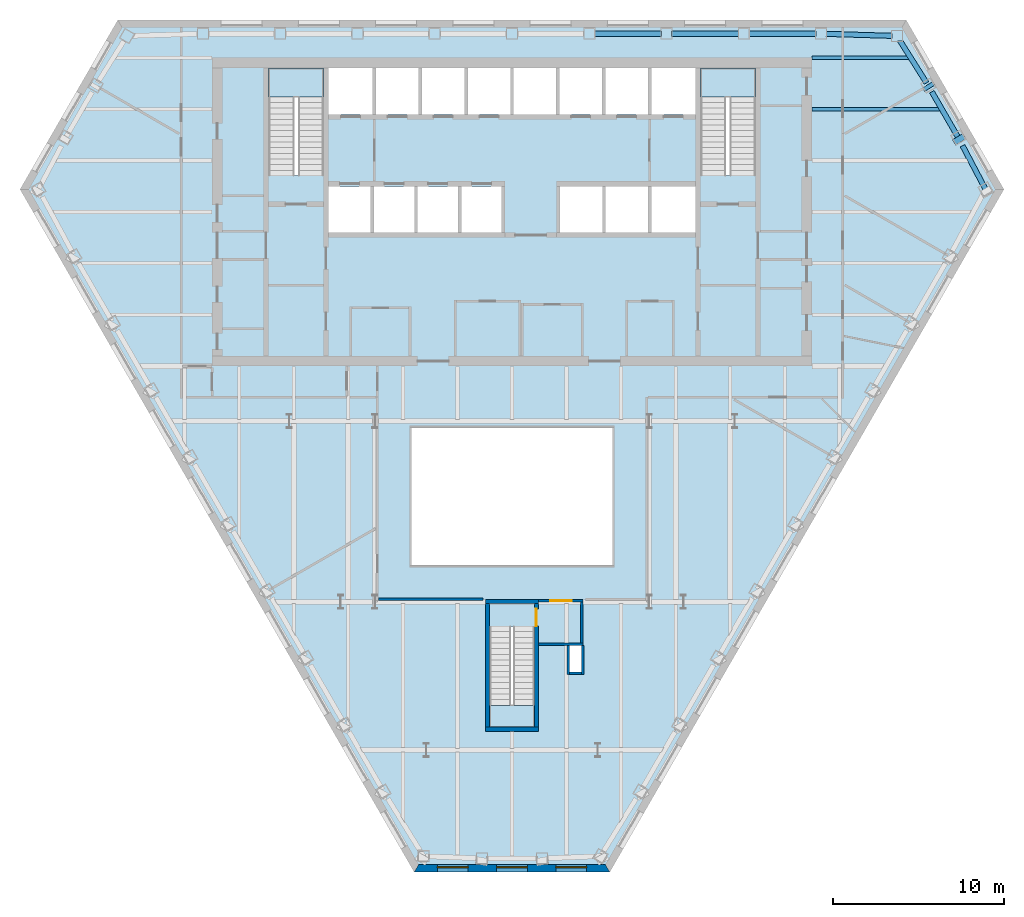
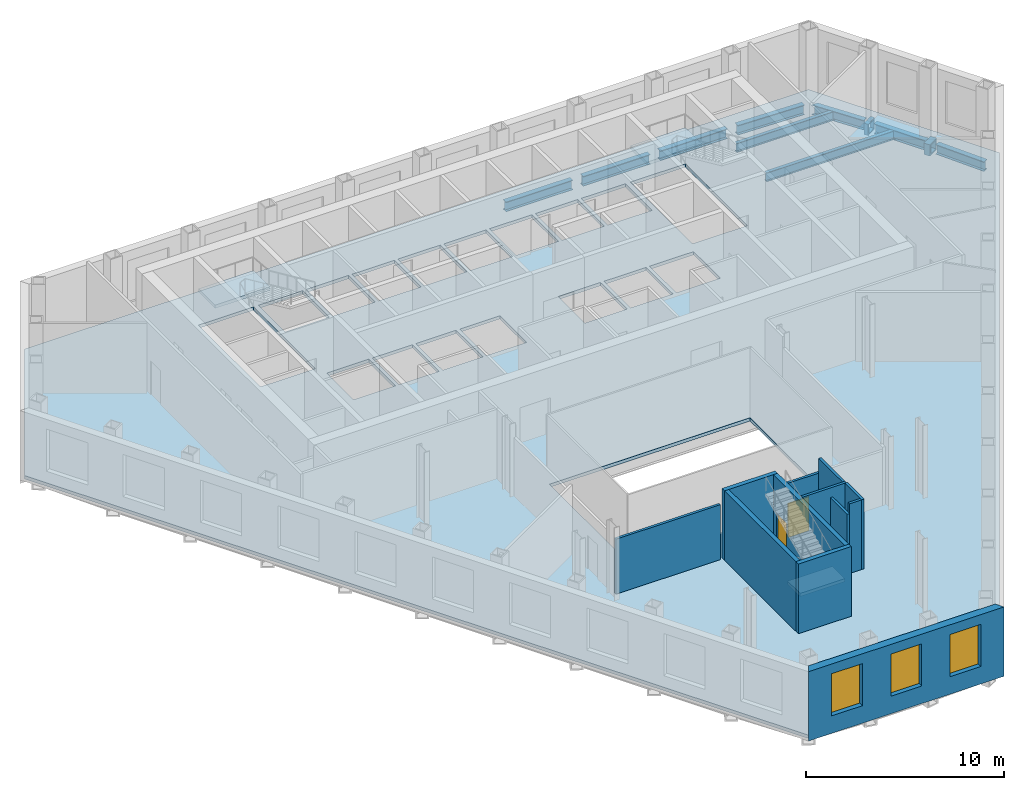
# One storey, part 4 of 11: 12 walls, 11 beams, 4 slabs, 3 windows, 2 doors, 5 openings, 3 elements without a shape of their own.
"""IFC4 building model written with IfcOpenShell, lengths in metres."""

from ifc_helpers import new_model, si_unit, direction, frame, frame_2d, origin, origin_2d, place, context, subcontext, project, spatial, polyline, rectangle, hollow_rectangle, i_section, outline, extrude, clip, halfspace, material, layer, layer_set, material_profile, profile_set, type_object, element, fill, aggregate, save


model = new_model("IFC4")

# Units and contexts
model_context = context("Model", 3, precision=1e-05, world=origin(), true_north=direction((0.0, 1.0)))
body_context = subcontext(model_context, "Body", "Model", "MODEL_VIEW")
ifc_project = project(units=[si_unit("LENGTHUNIT", "METRE"), si_unit("AREAUNIT", "SQUARE_METRE"), si_unit("VOLUMEUNIT", "CUBIC_METRE"), si_unit("PLANEANGLEUNIT", "RADIAN"), si_unit("MASSUNIT", "GRAM", prefix="KILO")], contexts=[model_context])

# Site, building, storey
site_placement = place(None, origin())
site = spatial("IfcSite", under=ifc_project, at=site_placement, CompositionType="ELEMENT")
building_placement = place(site_placement, origin())
building = spatial("IfcBuilding", under=site, at=building_placement, Name="Njiva Tower", CompositionType="ELEMENT")
storey_placement = place(building_placement, frame((0.0, 0.0, 46.8)))
storey = spatial("IfcBuildingStorey", under=building, at=storey_placement, Name="L09", CompositionType="ELEMENT", Elevation=46.8)

# Beams
ifc_material_1 = material(Name="Steel S355 J2", Category="steel")
ifc_material_profile_1 = material_profile(ifc_material_1, i_section(OverallWidth=0.21, OverallDepth=0.55, WebThickness=0.0111, FlangeThickness=0.0172, at=origin_2d()), Name="IPE 550")
ifc_profile_set_1 = profile_set([ifc_material_profile_1], Name="Steel S355 J2")
beam_type_1 = type_object("IfcBeamType", Name="B10 Floor beam to the core IPE 550", PredefinedType="BEAM", material=ifc_profile_set_1)
beam_1_placement = place(storey_placement, frame((17.5, 15.0, -0.475), z_axis=(1.0, 0.0, 0.0), x_axis=(0.0, 1.0, 0.0)))
element("IfcBeam", 1, at=beam_1_placement, inside=storey, type_object=beam_type_1, Name="Floor beam to the core S03-B013", PredefinedType="BEAM", context=body_context, shape_type="Clipping", body=[
    clip(extrude(i_section(OverallWidth=0.21, OverallDepth=0.55, WebThickness=0.0111, FlangeThickness=0.0172, at=origin_2d()), origin(), (0.0, 0.0, 1.0), 7.544), halfspace(frame((0.025, 0.0, 7.4486), z_axis=(0.499998009787, 0.0, 0.866026552831), x_axis=(0.0, 1.0, 0.0)), False)),
])
beam_2_placement = place(storey_placement, frame((17.5, 18.0, -0.475), z_axis=(1.0, 0.0, 0.0), x_axis=(0.0, 1.0, 0.0)))
element("IfcBeam", 2, at=beam_2_placement, inside=storey, type_object=beam_type_1, Name="Floor beam to the core S03-B014", PredefinedType="BEAM", context=body_context, shape_type="Clipping", body=[
    clip(extrude(i_section(OverallWidth=0.21, OverallDepth=0.55, WebThickness=0.0111, FlangeThickness=0.0172, at=origin_2d()), origin(), (0.0, 0.0, 1.0), 5.728), halfspace(frame((0.0267, 0.0, 5.625), z_axis=(0.533317101749, 0.0, 0.84591540297), x_axis=(0.0, 1.0, 0.0)), False)),
])
ifc_material_profile_2 = material_profile(ifc_material_1, hollow_rectangle(XDim=0.7, YDim=0.7, WallThickness=0.08, at=origin_2d()), Name="BOX 700x700x80")
ifc_profile_set_2 = profile_set([ifc_material_profile_2], Name="Steel S355 J2")
beam_type_2 = type_object("IfcBeamType", Name="B19 Column jog beam BOX 700x700x80", PredefinedType="BEAM", material=ifc_profile_set_2)
beam_3_placement = place(storey_placement, frame((26.186, 13.093, -0.55), z_axis=(-0.515738557296, 0.856746018677, 0.0), x_axis=(-0.856746018677, -0.515738557296, 0.0)))
element("IfcBeam", 3, at=beam_3_placement, inside=storey, type_object=beam_type_2, Name="Column jog beam S03-B058", PredefinedType="BEAM", context=body_context, shape_type="SweptSolid", body=[
    extrude(hollow_rectangle(XDim=0.7, YDim=0.7, WallThickness=0.08, at=origin_2d()), origin(), (0.0, 0.0, 1.0), 0.3548),
])
beam_4_placement = place(storey_placement, frame((24.381, 16.221, -0.55), z_axis=(-0.530374274626, 0.847763604323, 0.0), x_axis=(-0.847763604323, -0.530374274626, 0.0)))
element("IfcBeam", 4, at=beam_4_placement, inside=storey, type_object=beam_type_2, Name="Column jog beam S03-B056", PredefinedType="BEAM", context=body_context, shape_type="SweptSolid", body=[
    extrude(hollow_rectangle(XDim=0.7, YDim=0.7, WallThickness=0.08, at=origin_2d()), origin(), (0.0, 0.0, 1.0), 0.2395),
])
ifc_material_profile_3 = material_profile(ifc_material_1, i_section(OverallWidth=0.3, OverallDepth=0.6, WebThickness=0.0155, FlangeThickness=0.03, at=origin_2d()), Name="HEB 600")
ifc_profile_set_3 = profile_set([ifc_material_profile_3], Name="Steel S355 J2")
beam_type_3 = type_object("IfcBeamType", Name="B3 Short-span spandrel beam HEB 600", PredefinedType="SPANDREL", material=ifc_profile_set_3)
beam_5_placement = place(storey_placement, frame((22.162, 19.276, -0.5), z_axis=(-0.999548107162, 0.030059631884, 0.0), x_axis=(-0.030059631884, -0.999548107162, 0.0)))
element("IfcBeam", 5, at=beam_5_placement, inside=storey, type_object=beam_type_3, Name="Short-span spandrel beam S03-B162", PredefinedType="SPANDREL", context=body_context, shape_type="SweptSolid", body=[
    extrude(i_section(OverallWidth=0.3, OverallDepth=0.6, WebThickness=0.0155, FlangeThickness=0.03, at=origin_2d()), origin(), (0.0, 0.0, 1.0), 3.8257),
])
beam_6_placement = place(storey_placement, frame((17.734, 19.4, -0.5), z_axis=(-1.0, 0.0, 0.0), x_axis=(0.0, -1.0, 0.0)))
element("IfcBeam", 6, at=beam_6_placement, inside=storey, type_object=beam_type_3, Name="Short-span spandrel beam S03-B156", PredefinedType="SPANDREL", context=body_context, shape_type="SweptSolid", body=[
    extrude(i_section(OverallWidth=0.3, OverallDepth=0.6, WebThickness=0.0155, FlangeThickness=0.03, at=origin_2d()), origin(), (0.0, 0.0, 1.0), 3.908),
])
beam_7_placement = place(storey_placement, frame((13.226, 19.4, -0.5), z_axis=(-1.0, 0.0, 0.0), x_axis=(0.0, -1.0, 0.0)))
element("IfcBeam", 7, at=beam_7_placement, inside=storey, type_object=beam_type_3, Name="Short-span spandrel beam S03-B150", PredefinedType="SPANDREL", context=body_context, shape_type="SweptSolid", body=[
    extrude(i_section(OverallWidth=0.3, OverallDepth=0.6, WebThickness=0.0155, FlangeThickness=0.03, at=origin_2d()), origin(), (0.0, 0.0, 1.0), 3.909),
])
beam_8_placement = place(storey_placement, frame((8.717, 19.4, -0.5), z_axis=(-1.0, 0.0, 0.0), x_axis=(0.0, -1.0, 0.0)))
element("IfcBeam", 8, at=beam_8_placement, inside=storey, type_object=beam_type_3, Name="Short-span spandrel beam S03-B144", PredefinedType="SPANDREL", context=body_context, shape_type="SweptSolid", body=[
    extrude(i_section(OverallWidth=0.3, OverallDepth=0.6, WebThickness=0.0155, FlangeThickness=0.03, at=origin_2d()), origin(), (0.0, 0.0, 1.0), 3.908),
])
beam_9_placement = place(storey_placement, frame((27.628, 10.319, -0.5), z_axis=(-0.466004022868, 0.884782600796, 0.0), x_axis=(-0.884782600796, -0.466004022868, 0.0)))
element("IfcBeam", 9, at=beam_9_placement, inside=storey, type_object=beam_type_3, Name="Short-span spandrel beam S03-B176", PredefinedType="SPANDREL", context=body_context, shape_type="SweptSolid", body=[
    extrude(i_section(OverallWidth=0.3, OverallDepth=0.6, WebThickness=0.0155, FlangeThickness=0.03, at=origin_2d()), origin(), (0.0, 0.0, 1.0), 2.8798),
])
beam_10_placement = place(storey_placement, frame((26.001, 13.402, -0.5), z_axis=(-0.50006736263, 0.865986508459, 0.0), x_axis=(-0.865986508459, -0.50006736263, 0.0)))
element("IfcBeam", 10, at=beam_10_placement, inside=storey, type_object=beam_type_3, Name="Short-span spandrel beam S03-B172", PredefinedType="SPANDREL", context=body_context, shape_type="SweptSolid", body=[
    extrude(i_section(OverallWidth=0.3, OverallDepth=0.6, WebThickness=0.0155, FlangeThickness=0.03, at=origin_2d()), origin(), (0.0, 0.0, 1.0), 3.0116),
])
beam_11_placement = place(storey_placement, frame((24.187, 16.53, -0.5), z_axis=(-0.533457492137, 0.845826875952, 0.0), x_axis=(-0.845826875952, -0.533457492137, 0.0)))
element("IfcBeam", 11, at=beam_11_placement, inside=storey, type_object=beam_type_3, Name="Short-span spandrel beam S03-B168", PredefinedType="SPANDREL", context=body_context, shape_type="Clipping", body=[
    clip(extrude(i_section(OverallWidth=0.3, OverallDepth=0.6, WebThickness=0.0155, FlangeThickness=0.03, at=origin_2d()), origin(), (0.0, 0.0, 1.0), 2.9962), halfspace(frame((-0.027, 0.0, 2.8642), z_axis=(-0.533457492137, 0.0, 0.845826875952), x_axis=(0.0, 1.0, 0.0)), False)),
])

# Stair, slab
ifc_material_2 = material(Name="Concrete C40/50", Category="concrete")
stair_type_1 = type_object("IfcStairType", Name="ST4 Exit stair 1500", PredefinedType="HALF_TURN_STAIR", material=ifc_material_2)
stair_1_placement = place(storey_placement, origin())
stair_1 = element("IfcStair", 12, at=stair_1_placement, inside=storey, type_object=stair_type_1, Name="Stair A", PredefinedType="HALF_TURN_STAIR")
ifc_layer_1 = layer(ifc_material_2, 0.2)
ifc_layer_set_1 = layer_set([ifc_layer_1], Name="Concrete C40/50")
slab_type_1 = type_object("IfcSlabType", Name="FL9 Stair landing 200", PredefinedType="LANDING", material=ifc_layer_set_1)
slab_1_placement = place(storey_placement, frame((0.0, 0.0, 2.05)))
slab_1 = element("IfcSlab", 13, at=slab_1_placement, type_object=slab_type_1, Name="ST-A landing 1", PredefinedType="LANDING", context=body_context, shape_type="SweptSolid", body=[
    extrude(outline(polyline([(-14.206, 15.72), (-10.994, 15.72), (-10.994, 17.4), (-14.206, 17.4), (-14.206, 15.72)])), origin(), (0.0, 0.0, 1.0), 0.2),
])
aggregate(stair_1, [slab_1])

stair_2_placement = place(storey_placement, origin())
stair_2 = element("IfcStair", 14, at=stair_2_placement, inside=storey, type_object=stair_type_1, Name="Stair B", PredefinedType="HALF_TURN_STAIR")
slab_2_placement = place(storey_placement, frame((0.0, 0.0, 2.05)))
slab_2 = element("IfcSlab", 15, at=slab_2_placement, type_object=slab_type_1, Name="ST-B landing 1", PredefinedType="LANDING", context=body_context, shape_type="SweptSolid", body=[
    extrude(outline(polyline([(10.994, 15.72), (14.206, 15.72), (14.206, 17.4), (10.994, 17.4), (10.994, 15.72)])), origin(), (0.0, 0.0, 1.0), 0.2),
])
aggregate(stair_2, [slab_2])

stair_type_2 = type_object("IfcStairType", Name="ST1 Exit stair 1250", PredefinedType="HALF_TURN_STAIR", material=ifc_material_2)
stair_3_placement = place(storey_placement, origin())
stair_3 = element("IfcStair", 16, at=stair_3_placement, inside=storey, type_object=stair_type_2, Name="Stair C", PredefinedType="HALF_TURN_STAIR")
slab_3_placement = place(storey_placement, frame((0.0, 0.0, 2.05)))
slab_3 = element("IfcSlab", 17, at=slab_3_placement, type_object=slab_type_1, Name="ST-C landing 1", PredefinedType="LANDING", context=body_context, shape_type="SweptSolid", body=[
    extrude(outline(polyline([(-1.306, -21.05), (1.306, -21.05), (1.306, -19.78), (-1.306, -19.78), (-1.306, -21.05)])), origin(), (0.0, 0.0, 1.0), 0.2),
])
aggregate(stair_3, [slab_3])

# Slab
ifc_material_3 = material(Name="Concrete C30/37", Category="concrete")
ifc_layer_2 = layer(ifc_material_3, 0.2)
ifc_layer_set_2 = layer_set([ifc_layer_2], Name="Concrete C30/37")
slab_type_2 = type_object("IfcSlabType", Name="SL16 Composite floor slab 200", PredefinedType="FLOOR", material=ifc_layer_set_2)
slab_4_placement = place(storey_placement, frame((0.0, 0.0, -0.2)))
element("IfcSlab", 18, at=slab_4_placement, inside=storey, type_object=slab_type_2, Name="Floor slab L09", PredefinedType="FLOOR", context=body_context, shape_type="SweptSolid", body=[
    extrude(outline(polyline([(28.4452, 10.3187), (5.5751, -29.2935), (-5.5751, -29.2935), (-28.4452, 10.3187), (-22.8701, 19.975), (22.8701, 19.975), (28.4452, 10.3187)]), holes=[polyline([(10.994, 11.13), (14.206, 11.13), (14.206, 17.4), (10.994, 17.4), (10.994, 11.13)]), polyline([(8.125, 17.4), (8.125, 14.7), (10.7, 14.7), (10.7, 17.4), (8.125, 17.4)]), polyline([(8.1333, 10.5), (8.1333, 7.8), (10.7, 7.8), (10.7, 10.5), (8.1333, 10.5)]), polyline([(5.4667, 10.5), (5.4667, 7.8), (7.9333, 7.8), (7.9333, 10.5), (5.4667, 10.5)]), polyline([(5.45, 17.4), (5.45, 14.7), (7.925, 14.7), (7.925, 17.4), (5.45, 17.4)]), polyline([(5.85, -11.6), (5.85, -3.6), (-5.85, -3.6), (-5.85, -11.6), (5.85, -11.6)]), polyline([(2.8, 7.8), (5.2667, 7.8), (5.2667, 10.5), (2.8, 10.5), (2.8, 7.8)]), polyline([(2.775, 14.7), (5.25, 14.7), (5.25, 17.4), (2.775, 17.4), (2.775, 14.7)]), polyline([(3.35, -17.85), (4.05, -17.85), (4.05, -16.3), (3.35, -16.3), (3.35, -17.85)]), polyline([(0.1, 14.7), (2.575, 14.7), (2.575, 17.4), (0.1, 17.4), (0.1, 14.7)]), polyline([(-1.306, -21.05), (1.306, -21.05), (1.306, -15.19), (-1.306, -15.19), (-1.306, -21.05)]), polyline([(-2.575, 17.4), (-2.575, 14.7), (-0.1, 14.7), (-0.1, 17.4), (-2.575, 17.4)]), polyline([(-2.95, 10.5), (-2.95, 7.8), (-0.6, 7.8), (-0.6, 10.5), (-2.95, 10.5)]), polyline([(-5.25, 17.4), (-5.25, 14.7), (-2.775, 14.7), (-2.775, 17.4), (-5.25, 17.4)]), polyline([(-5.5, 10.5), (-5.5, 7.8), (-3.15, 7.8), (-3.15, 10.5), (-5.5, 10.5)]), polyline([(-7.925, 14.7), (-5.45, 14.7), (-5.45, 17.4), (-7.925, 17.4), (-7.925, 14.7)]), polyline([(-8.05, 7.8), (-5.7, 7.8), (-5.7, 10.5), (-8.05, 10.5), (-8.05, 7.8)]), polyline([(-10.7, 14.7), (-8.125, 14.7), (-8.125, 17.4), (-10.7, 17.4), (-10.7, 14.7)]), polyline([(-10.7, 7.8), (-8.25, 7.8), (-8.25, 10.5), (-10.7, 10.5), (-10.7, 7.8)]), polyline([(-14.206, 11.13), (-10.994, 11.13), (-10.994, 17.4), (-14.206, 17.4), (-14.206, 11.13)])]), origin(), (0.0, 0.0, 1.0), 0.2),
])

# Walls
ifc_material_4 = material(Name="Gypsum board on steel studs", Category="gypsum")
ifc_layer_3 = layer(ifc_material_4, 0.15)
ifc_layer_set_3 = layer_set([ifc_layer_3], Name="Gypsum board on steel studs")
wall_type_1 = type_object("IfcWallType", Name="WT21 Compartment wall 150", PredefinedType="PARTITIONING", material=ifc_layer_set_3)
wall_1_placement = place(storey_placement, frame((-7.775, -13.6, 0.0), z_axis=(0.0, 0.0, 1.0), x_axis=(1.0, 0.0, 0.0)))
element("IfcWall", 19, at=wall_1_placement, inside=storey, type_object=wall_type_1, Name="Partition S03-P010", PredefinedType="PARTITIONING", context=body_context, shape_type="SweptSolid", body=[
    extrude(rectangle(XDim=6.075, YDim=0.15, at=frame_2d((3.0375, 0.0))), origin(), (0.0, 0.0, 1.0), 3.39),
])
ifc_material_5 = material(Name="Blockwork", Category="masonry")
ifc_layer_4 = layer(ifc_material_5, 0.15)
ifc_layer_set_4 = layer_set([ifc_layer_4], Name="Blockwork")
wall_type_2 = type_object("IfcWallType", Name="WT4 Stair partition 150", PredefinedType="PARTITIONING", material=ifc_layer_set_4)
wall_2_placement = place(storey_placement, frame((1.55, -16.225, 0.0), z_axis=(0.0, 0.0, 1.0), x_axis=(1.0, 0.0, 0.0)))
element("IfcWall", 20, at=wall_2_placement, inside=storey, type_object=wall_type_2, Name="Stair C vestibule wall south", PredefinedType="PARTITIONING", context=body_context, shape_type="SweptSolid", body=[
    extrude(rectangle(XDim=2.6, YDim=0.15, at=frame_2d((1.3, 0.0))), origin(), (0.0, 0.0, 1.0), 4.3),
])
wall_3_placement = place(storey_placement, frame((4.075, -16.15, 0.0), z_axis=(0.0, 0.0, 1.0), x_axis=(0.0, 1.0, 0.0)))
element("IfcWall", 21, at=wall_3_placement, inside=storey, type_object=wall_type_2, Name="Stair C vestibule wall east", PredefinedType="PARTITIONING", context=body_context, shape_type="SweptSolid", body=[
    extrude(rectangle(XDim=2.4, YDim=0.15, at=frame_2d((1.2, 0.0))), origin(), (0.0, 0.0, 1.0), 4.3),
])

# Wall, opening, door
wall_4_placement = place(storey_placement, frame((1.55, -13.675, 0.0), z_axis=(0.0, 0.0, 1.0), x_axis=(1.0, 0.0, 0.0)))
wall_4 = element("IfcWall", 22, at=wall_4_placement, inside=storey, type_object=wall_type_2, Name="Stair C vestibule wall north", PredefinedType="PARTITIONING", context=body_context, shape_type="SweptSolid", body=[
    extrude(rectangle(XDim=2.6, YDim=0.15, at=frame_2d((1.3, 0.0))), origin(), (0.0, 0.0, 1.0), 3.39),
])
opening_1_placement = place(wall_4_placement, frame((0.675, 0.0, 0.0)))
opening_1 = element("IfcOpeningElement", 23, at=opening_1_placement, cuts=wall_4, Name="Opening S03-D940", PredefinedType="OPENING", context=body_context, shape_type="SweptSolid", body=[
    extrude(rectangle(XDim=1.25, YDim=2.1, at=frame_2d((0.625, 1.05))), frame((0.0, 0.085, 0.0), z_axis=(0.0, -1.0, 0.0), x_axis=(1.0, 0.0, 0.0)), (0.0, 0.0, 1.0), 0.17),
])
ifc_material_6 = material(Name="Glazed steel fire door", Category="steel")
door_type_1 = type_object("IfcDoorType", Name="D8 Vestibule corridor door 1250x2100 glazed", OperationType="SINGLE_SWING_LEFT", PredefinedType="DOOR", material=ifc_material_6)
door_1_placement = place(opening_1_placement, origin())
door_1 = element("IfcDoor", 24, at=door_1_placement, inside=storey, type_object=door_type_1, Name="Stair vestibule corridor door", OperationType="SINGLE_SWING_RIGHT", OverallHeight=2.1, OverallWidth=1.25, PredefinedType="DOOR", context=body_context, shape_type="SweptSolid", body=[
    extrude(rectangle(XDim=1.25, YDim=2.1, at=frame_2d((0.625, 1.05))), frame((0.0, 0.025, 0.0), z_axis=(0.0, -1.0, 0.0), x_axis=(1.0, 0.0, 0.0)), (0.0, 0.0, 1.0), 0.05),
])
fill(opening_1, door_1)

# Walls
wall_5_placement = place(storey_placement, frame((3.275, -18.0, 0.0), z_axis=(0.0, 0.0, 1.0), x_axis=(0.0, 1.0, 0.0)))
element("IfcWall", 25, at=wall_5_placement, inside=storey, type_object=wall_type_2, Name="Stair C pressurisation shaft wall", PredefinedType="PARTITIONING", context=body_context, shape_type="SweptSolid", body=[
    extrude(rectangle(XDim=1.7, YDim=0.15, at=frame_2d((0.85, 0.0))), origin(), (0.0, 0.0, 1.0), 3.7),
])
wall_6_placement = place(storey_placement, frame((3.35, -17.925, 0.0), z_axis=(0.0, 0.0, 1.0), x_axis=(1.0, 0.0, 0.0)))
element("IfcWall", 26, at=wall_6_placement, inside=storey, type_object=wall_type_2, Name="Stair C pressurisation shaft wall", PredefinedType="PARTITIONING", context=body_context, shape_type="SweptSolid", body=[
    extrude(rectangle(XDim=0.7, YDim=0.15, at=frame_2d((0.35, 0.0))), origin(), (0.0, 0.0, 1.0), 4.3),
])
wall_7_placement = place(storey_placement, frame((4.125, -18.0, 0.0), z_axis=(0.0, 0.0, 1.0), x_axis=(0.0, 1.0, 0.0)))
element("IfcWall", 27, at=wall_7_placement, inside=storey, type_object=wall_type_2, Name="Stair C pressurisation shaft wall", PredefinedType="PARTITIONING", context=body_context, shape_type="SweptSolid", body=[
    extrude(rectangle(XDim=1.7, YDim=0.15, at=frame_2d((0.85, 0.0))), origin(), (0.0, 0.0, 1.0), 4.3),
])
ifc_layer_5 = layer(ifc_material_2, 0.25)
ifc_layer_set_5 = layer_set([ifc_layer_5], Name="Concrete C40/50")
wall_type_3 = type_object("IfcWallType", Name="WT9 Stair enclosure wall 250", PredefinedType="SHEAR", material=ifc_layer_set_5)
wall_8_placement = place(storey_placement, frame((-1.425, -21.05, 0.0), z_axis=(0.0, 0.0, 1.0), x_axis=(0.0, 1.0, 0.0)))
element("IfcWall", 28, at=wall_8_placement, inside=storey, type_object=wall_type_3, Name="Stair C wall west", PredefinedType="SHEAR", context=body_context, shape_type="SweptSolid", body=[
    extrude(rectangle(XDim=7.2, YDim=0.25, at=frame_2d((3.6, 0.0))), origin(), (0.0, 0.0, 1.0), 4.3),
])

# Wall, opening, door
wall_9_placement = place(storey_placement, frame((1.425, -21.05, 0.0), z_axis=(0.0, 0.0, 1.0), x_axis=(0.0, 1.0, 0.0)))
wall_9 = element("IfcWall", 29, at=wall_9_placement, inside=storey, type_object=wall_type_3, Name="Stair C wall east", PredefinedType="SHEAR", context=body_context, shape_type="SweptSolid", body=[
    extrude(rectangle(XDim=7.2, YDim=0.25, at=frame_2d((3.6, 0.0))), origin(), (0.0, 0.0, 1.0), 4.3),
])
opening_2_placement = place(wall_9_placement, frame((5.89, 0.0, 0.0)))
opening_2 = element("IfcOpeningElement", 30, at=opening_2_placement, cuts=wall_9, Name="Opening S03-D939", PredefinedType="OPENING", context=body_context, shape_type="SweptSolid", body=[
    extrude(rectangle(XDim=1.0, YDim=2.1, at=frame_2d((0.5, 1.05))), frame((0.0, 0.135, 0.0), z_axis=(0.0, -1.0, 0.0), x_axis=(1.0, 0.0, 0.0)), (0.0, 0.0, 1.0), 0.27),
])
door_type_2 = type_object("IfcDoorType", Name="D9 Stair vestibule door 1000x2100 glazed", OperationType="SINGLE_SWING_LEFT", PredefinedType="DOOR", material=ifc_material_6)
door_2_placement = place(opening_2_placement, origin())
door_2 = element("IfcDoor", 31, at=door_2_placement, inside=storey, type_object=door_type_2, Name="Stair C door", OperationType="SINGLE_SWING_LEFT", OverallHeight=2.1, OverallWidth=1.0, PredefinedType="DOOR", context=body_context, shape_type="SweptSolid", body=[
    extrude(rectangle(XDim=1.0, YDim=2.1, at=frame_2d((0.5, 1.05))), frame((0.0, 0.025, 0.0), z_axis=(0.0, -1.0, 0.0), x_axis=(1.0, 0.0, 0.0)), (0.0, 0.0, 1.0), 0.05),
])
fill(opening_2, door_2)

# Walls
for number, where, z_axis, x_axis, name in (
    (32, (-1.55, -21.175, 0.0), (0.0, 0.0, 1.0), (1.0, 0.0, 0.0), "Stair C wall south"),
    (33, (-1.55, -13.725, 0.0), (0.0, 0.0, 1.0), (1.0, 0.0, 0.0), "Stair C wall north"),
):
    element("IfcWall", number, at=place(storey_placement, frame(where, z_axis=z_axis, x_axis=x_axis)), inside=storey, type_object=wall_type_3, Name=name, PredefinedType="SHEAR", context=body_context, shape_type="SweptSolid", body=[
        extrude(rectangle(XDim=3.1, YDim=0.25, at=frame_2d((1.55, 0.0))), origin(), (0.0, 0.0, 1.0), 4.3),
    ])

# Wall, openings, windows
ifc_material_7 = material(Name="Brick masonry, buff", Category="masonry")
ifc_layer_6 = layer(ifc_material_7, 0.45)
ifc_layer_set_6 = layer_set([ifc_layer_6], Name="Brick masonry, buff")
wall_type_4 = type_object("IfcWallType", Name="WT94 Brick pier and spandrel wall 450, buff", PredefinedType="SOLIDWALL", material=ifc_layer_set_6)
wall_10_placement = place(storey_placement, frame((-5.5751, -29.2935, -0.18), z_axis=(0.0, 0.0, 1.0), x_axis=(1.0, 0.0, 0.0)))
wall_10 = element("IfcWall", 34, at=wall_10_placement, inside=storey, type_object=wall_type_4, Name="Facade wall S", PredefinedType="SOLIDWALL", context=body_context, shape_type="SweptSolid", body=[
    extrude(outline(polyline([(-0.1299, -0.225), (11.2801, -0.225), (11.0203, 0.225), (0.1299, 0.225), (-0.1299, -0.225)])), origin(), (0.0, 0.0, 1.0), 4.28),
])
opening_3_placement = place(wall_10_placement, frame((1.2181, 0.0, 1.08)))
opening_3 = element("IfcOpeningElement", 35, at=opening_3_placement, cuts=wall_10, Name="Opening S03-W22", PredefinedType="OPENING", context=body_context, shape_type="SweptSolid", body=[
    extrude(rectangle(XDim=1.8, YDim=2.6, at=frame_2d((0.9, 1.3))), frame((0.0, 0.235, 0.0), z_axis=(0.0, -1.0, 0.0), x_axis=(1.0, 0.0, 0.0)), (0.0, 0.0, 1.0), 0.47),
])
opening_4_placement = place(wall_10_placement, frame((4.6751, 0.0, 1.08)))
opening_4 = element("IfcOpeningElement", 36, at=opening_4_placement, cuts=wall_10, Name="Opening S03-W23", PredefinedType="OPENING", context=body_context, shape_type="SweptSolid", body=[
    extrude(rectangle(XDim=1.8, YDim=2.6, at=frame_2d((0.9, 1.3))), frame((0.0, 0.235, 0.0), z_axis=(0.0, -1.0, 0.0), x_axis=(1.0, 0.0, 0.0)), (0.0, 0.0, 1.0), 0.47),
])
opening_5_placement = place(wall_10_placement, frame((8.1321, 0.0, 1.08)))
opening_5 = element("IfcOpeningElement", 37, at=opening_5_placement, cuts=wall_10, Name="Opening S03-W24", PredefinedType="OPENING", context=body_context, shape_type="SweptSolid", body=[
    extrude(rectangle(XDim=1.8, YDim=2.6, at=frame_2d((0.9, 1.3))), frame((0.0, 0.235, 0.0), z_axis=(0.0, -1.0, 0.0), x_axis=(1.0, 0.0, 0.0)), (0.0, 0.0, 1.0), 0.47),
])
ifc_material_8 = material(Name="Clear glazing in aluminium frame", Category="aluminium")
window_type = type_object("IfcWindowType", Name="W96 Deep-set window 1800x2600", PartitioningType="SINGLE_PANEL", PredefinedType="WINDOW", material=ifc_material_8)
window_1_placement = place(opening_3_placement, origin())
window_1 = element("IfcWindow", 38, at=window_1_placement, inside=storey, type_object=window_type, Name="Window", OverallHeight=2.6, OverallWidth=1.8, PartitioningType="SINGLE_PANEL", PredefinedType="WINDOW", context=body_context, shape_type="SweptSolid", body=[
    extrude(rectangle(XDim=1.8, YDim=2.6, at=frame_2d((0.9, 1.3))), frame((0.0, 0.105, 0.0), z_axis=(0.0, -1.0, 0.0), x_axis=(1.0, 0.0, 0.0)), (0.0, 0.0, 1.0), 0.06),
])
fill(opening_3, window_1)
window_2_placement = place(opening_4_placement, origin())
window_2 = element("IfcWindow", 39, at=window_2_placement, inside=storey, type_object=window_type, Name="Window", OverallHeight=2.6, OverallWidth=1.8, PartitioningType="SINGLE_PANEL", PredefinedType="WINDOW", context=body_context, shape_type="SweptSolid", body=[
    extrude(rectangle(XDim=1.8, YDim=2.6, at=frame_2d((0.9, 1.3))), frame((0.0, 0.105, 0.0), z_axis=(0.0, -1.0, 0.0), x_axis=(1.0, 0.0, 0.0)), (0.0, 0.0, 1.0), 0.06),
])
fill(opening_4, window_2)
window_3_placement = place(opening_5_placement, origin())
window_3 = element("IfcWindow", 40, at=window_3_placement, inside=storey, type_object=window_type, Name="Window", OverallHeight=2.6, OverallWidth=1.8, PartitioningType="SINGLE_PANEL", PredefinedType="WINDOW", context=body_context, shape_type="SweptSolid", body=[
    extrude(rectangle(XDim=1.8, YDim=2.6, at=frame_2d((0.9, 1.3))), frame((0.0, 0.105, 0.0), z_axis=(0.0, -1.0, 0.0), x_axis=(1.0, 0.0, 0.0)), (0.0, 0.0, 1.0), 0.06),
])
fill(opening_5, window_3)

save(model, "model.ifc")
